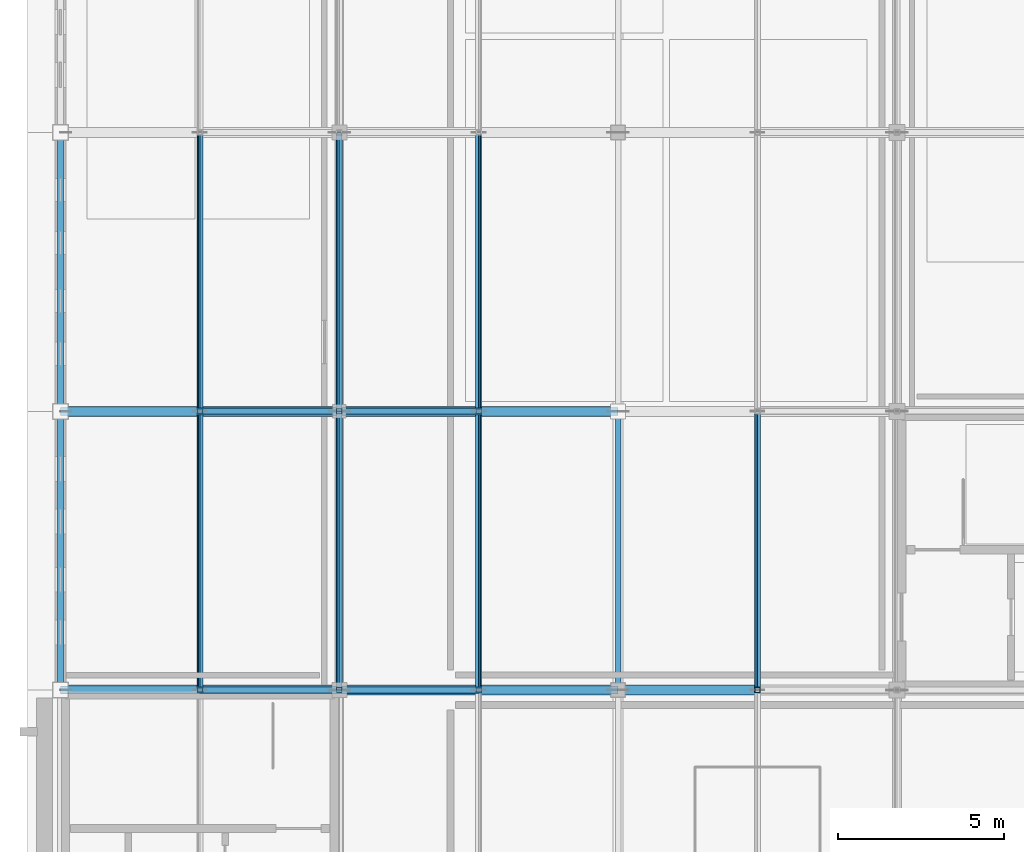
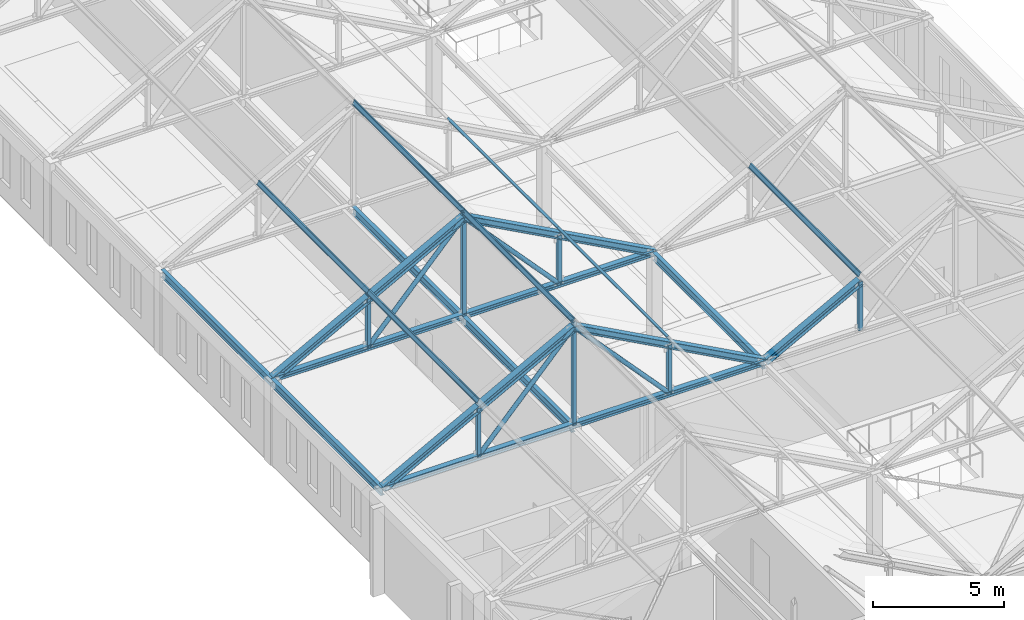
# One storey, part 4 of 36: 29 members, 5 beams.
"""IFC4 building model written with IfcOpenShell, lengths in metres."""

from ifc_helpers import new_model, si_unit, direction, frame, origin, origin_2d, place, context, subcontext, project, spatial, hollow_rectangle, hollow_circle, i_section, extrude, material, material_profile, profile_set, type_object, element, save


model = new_model("IFC4")

# Units and contexts
model_context = context("Model", 3, precision=1e-05, world=origin(), true_north=direction((0.0, 1.0)))
body_context = subcontext(model_context, "Body", "Model", "MODEL_VIEW")
ifc_project = project(units=[si_unit("LENGTHUNIT", "METRE"), si_unit("AREAUNIT", "SQUARE_METRE"), si_unit("VOLUMEUNIT", "CUBIC_METRE"), si_unit("PLANEANGLEUNIT", "RADIAN"), si_unit("MASSUNIT", "GRAM", prefix="KILO")], contexts=[model_context])

# Site, building, storey
site_placement = place(None, origin())
site = spatial("IfcSite", under=ifc_project, at=site_placement, CompositionType="ELEMENT")
building_placement = place(site_placement, origin())
building = spatial("IfcBuilding", under=site, at=building_placement, Name="Kveldsbrygga Polytechnic", CompositionType="ELEMENT")
storey_placement = place(building_placement, frame((0.0, 0.0, 26.179931640625)))
storey = spatial("IfcBuildingStorey", under=building, at=storey_placement, Name="L06", CompositionType="ELEMENT", Elevation=26.179931640625)

# Beams
ifc_material = material(Name="Steel S355", Category="steel")
ifc_material_profile_1 = material_profile(ifc_material, i_section(OverallWidth=0.169921875, OverallDepth=0.360107421875, WebThickness=0.008056640625, FlangeThickness=0.0126953125, FilletRadius=0.01806640625, at=origin_2d()), Name="IPE 360")
ifc_profile_set_1 = profile_set([ifc_material_profile_1], Name="Steel S355")
beam_type = type_object("IfcBeamType", Name="BM-STL-IPE360", PredefinedType="BEAM", material=ifc_profile_set_1)
for number, where, z_axis, x_axis, name in (
    (1, (126.0, 33.60009765625, 3.66015625), (0.0, 1.0, 0.0), (-1.0, 0.0, 0.0), "Attic Eaves Tie Beam BMY-L06-TOP-15-04"),
    (2, (126.0, 42.0, 3.66015625), (0.0, 1.0, 0.0), (-1.0, 0.0, 0.0), "Attic Eaves Tie Beam BMY-L06-TOP-15-05"),
    (3, (134.39990234375, 33.60009765625, 3.66015625), (0.0, 1.0, 0.0), (-1.0, 0.0, 0.0), "Attic Eaves Tie Beam BMY-L06-TOP-16-04"),
    (4, (134.39990234375, 42.0, 3.66015625), (0.0, 1.0, 0.0), (-1.0, 0.0, 0.0), "Attic Eaves Tie Beam BMY-L06-TOP-16-05"),
    (5, (142.800048828125, 33.60009765625, 3.66015625), (0.0, 1.0, 0.0), (-1.0, 0.0, 0.0), "Attic Eaves Tie Beam BMY-L06-TOP-17-04"),
):
    element("IfcBeam", number, at=place(storey_placement, frame(where, z_axis=z_axis, x_axis=x_axis)), inside=storey, type_object=beam_type, Name=name, PredefinedType="BEAM", context=body_context, shape_type="SweptSolid", body=[
        extrude(i_section(OverallWidth=0.169921875, OverallDepth=0.360107421875, WebThickness=0.008056640625, FlangeThickness=0.0126953125, FilletRadius=0.01806640625, at=origin_2d()), origin(), (0.0, 0.0, 1.0), 8.39990234375),
    ])

# Members
ifc_material_profile_2 = material_profile(ifc_material, i_section(OverallWidth=0.10009765625, OverallDepth=0.199951171875, WebThickness=0.005615234375, FlangeThickness=0.008544921875, FilletRadius=0.011962890625, at=origin_2d()), Name="IPE 200")
ifc_profile_set_2 = profile_set([ifc_material_profile_2], Name="Steel S355")
member_type_1 = type_object("IfcMemberType", Name="PRL-IPE200", PredefinedType="PURLIN", material=ifc_profile_set_2)
for number, where, z_axis, x_axis, name in (
    (6, (130.199951171875, 33.60009765625, 6.393798828125), (0.0, 1.0, 0.0), (-0.879292204483, 0.0, 0.476282709256), "Roof Purlin V4M1-PRL-3-1"),
    (7, (134.39990234375, 33.60009765625, 8.668701171875), (0.0, 1.0, 0.0), (-0.879292204483, 0.0, 0.476282709256), "Roof Purlin V4M1-PRL-3-2"),
    (8, (138.60009765625, 33.60009765625, 6.393798828125), (0.0, 1.0, 0.0), (-0.879292204483, 0.0, -0.476282709256), "Roof Purlin V4M1-PRL-3-3"),
    (9, (130.199951171875, 42.0, 6.393798828125), (0.0, 1.0, 0.0), (-0.879292204483, 0.0, 0.476282709256), "Roof Purlin V4M1-PRL-4-1"),
    (10, (134.39990234375, 42.0, 8.668701171875), (0.0, 1.0, 0.0), (-0.879292204483, 0.0, 0.476282709256), "Roof Purlin V4M1-PRL-4-2"),
    (11, (138.60009765625, 42.0, 6.393798828125), (0.0, 1.0, 0.0), (-0.879292204483, 0.0, -0.476282709256), "Roof Purlin V4M1-PRL-4-3"),
    (12, (147.0, 33.60009765625, 6.393798828125), (0.0, 1.0, 0.0), (-0.879292204483, 0.0, 0.476282709256), "Roof Purlin V4M2-PRL-3-1"),
):
    element("IfcMember", number, at=place(storey_placement, frame(where, z_axis=z_axis, x_axis=x_axis)), inside=storey, type_object=member_type_1, Name=name, PredefinedType="PURLIN", context=body_context, shape_type="SweptSolid", body=[
        extrude(i_section(OverallWidth=0.10009765625, OverallDepth=0.199951171875, WebThickness=0.005615234375, FlangeThickness=0.008544921875, FilletRadius=0.011962890625, at=origin_2d()), origin(), (0.0, 0.0, 1.0), 8.39990234375),
    ])
ifc_material_profile_3 = material_profile(ifc_material, i_section(OverallWidth=0.239990234375, OverallDepth=0.22998046875, WebThickness=0.007568359375, FlangeThickness=0.011962890625, FilletRadius=0.02099609375, at=origin_2d()), Name="HEA 240")
ifc_profile_set_3 = profile_set([ifc_material_profile_3], Name="Steel S355")
member_type_2 = type_object("IfcMemberType", Name="TR-BOT-HEA240", PredefinedType="CHORD", material=ifc_profile_set_3)
for number, where, z_axis, x_axis, name in (
    (13, (126.0, 33.60009765625, 3.840087890625), (1.0, 0.0, 0.0), (0.0, 1.0, 0.0), "Truss Bottom Chord V4M1-T03-BC-1"),
    (14, (126.0, 42.0, 3.840087890625), (1.0, 0.0, 0.0), (0.0, 1.0, 0.0), "Truss Bottom Chord V4M1-T04-BC-1"),
):
    element("IfcMember", number, at=place(storey_placement, frame(where, z_axis=z_axis, x_axis=x_axis)), inside=storey, type_object=member_type_2, Name=name, PredefinedType="CHORD", context=body_context, shape_type="SweptSolid", body=[
        extrude(i_section(OverallWidth=0.239990234375, OverallDepth=0.22998046875, WebThickness=0.007568359375, FlangeThickness=0.011962890625, FilletRadius=0.02099609375, at=origin_2d()), origin(), (0.0, 0.0, 1.0), 16.800048828125),
    ])
ifc_material_profile_4 = material_profile(ifc_material, hollow_circle(Radius=0.096923828125, WallThickness=0.010009765625, at=origin_2d()), Name="CHS 193.7x10.0")
ifc_profile_set_4 = profile_set([ifc_material_profile_4], Name="Steel S355")
member_type_3 = type_object("IfcMemberType", Name="TR-DIAG-CHS194", PredefinedType="BRACE", material=ifc_profile_set_4)
member_1_placement = place(storey_placement, frame((130.199951171875, 33.60009765625, 3.840087890625), z_axis=(0.678271914864, 0.0, 0.734811002576), x_axis=(0.0, 1.0, 0.0)))
element("IfcMember", 15, at=member_1_placement, inside=storey, type_object=member_type_3, Name="Truss Diagonal V4M1-T03-DG-2", PredefinedType="BRACE", context=body_context, shape_type="SweptSolid", body=[
    extrude(hollow_circle(Radius=0.096923828125, WallThickness=0.010009765625, at=origin_2d()), origin(), (0.0, 0.0, 1.0), 6.192138671875),
])
member_2_placement = place(storey_placement, frame((134.39990234375, 33.60009765625, 8.39013671875), z_axis=(0.678293202798, 0.0, -0.734791352043), x_axis=(0.0, 1.0, 0.0)))
element("IfcMember", 16, at=member_2_placement, inside=storey, type_object=member_type_3, Name="Truss Diagonal V4M1-T03-DG-3", PredefinedType="BRACE", context=body_context, shape_type="SweptSolid", body=[
    extrude(hollow_circle(Radius=0.096923828125, WallThickness=0.010009765625, at=origin_2d()), origin(), (0.0, 0.0, 1.0), 6.1923828125),
])
member_3_placement = place(storey_placement, frame((130.199951171875, 42.0, 3.840087890625), z_axis=(0.678271914864, 0.0, 0.734811002576), x_axis=(0.0, 1.0, 0.0)))
element("IfcMember", 17, at=member_3_placement, inside=storey, type_object=member_type_3, Name="Truss Diagonal V4M1-T04-DG-2", PredefinedType="BRACE", context=body_context, shape_type="SweptSolid", body=[
    extrude(hollow_circle(Radius=0.096923828125, WallThickness=0.010009765625, at=origin_2d()), origin(), (0.0, 0.0, 1.0), 6.192138671875),
])
member_4_placement = place(storey_placement, frame((134.39990234375, 42.0, 8.39013671875), z_axis=(0.678293202798, 0.0, -0.734791352043), x_axis=(0.0, 1.0, 0.0)))
element("IfcMember", 18, at=member_4_placement, inside=storey, type_object=member_type_3, Name="Truss Diagonal V4M1-T04-DG-3", PredefinedType="BRACE", context=body_context, shape_type="SweptSolid", body=[
    extrude(hollow_circle(Radius=0.096923828125, WallThickness=0.010009765625, at=origin_2d()), origin(), (0.0, 0.0, 1.0), 6.1923828125),
])
ifc_material_profile_5 = material_profile(ifc_material, hollow_rectangle(XDim=0.159912109375, YDim=0.159912109375, WallThickness=0.010009765625, at=origin_2d()), Name="SHS 160x160x10.0")
ifc_profile_set_5 = profile_set([ifc_material_profile_5], Name="Steel S355")
member_type_4 = type_object("IfcMemberType", Name="TR-POST-SHS160", PredefinedType="STRUT", material=ifc_profile_set_5)
member_5_placement = place(storey_placement, frame((130.199951171875, 33.60009765625, 3.840087890625), z_axis=(0.0, 0.0, 1.0), x_axis=(1.0, 0.0, 0.0)))
element("IfcMember", 19, at=member_5_placement, inside=storey, type_object=member_type_4, Name="Truss Vertical V4M1-T03-VT-1", PredefinedType="STRUT", context=body_context, shape_type="SweptSolid", body=[
    extrude(hollow_rectangle(XDim=0.159912109375, YDim=0.159912109375, WallThickness=0.010009765625, at=origin_2d()), origin(), (0.0, 0.0, 1.0), 2.27490234375),
])
member_6_placement = place(storey_placement, frame((134.39990234375, 33.60009765625, 3.840087890625), z_axis=(0.0, 0.0, 1.0), x_axis=(1.0, 0.0, 0.0)))
element("IfcMember", 20, at=member_6_placement, inside=storey, type_object=member_type_4, Name="Truss Vertical V4M1-T03-VT-2", PredefinedType="STRUT", context=body_context, shape_type="SweptSolid", body=[
    extrude(hollow_rectangle(XDim=0.159912109375, YDim=0.159912109375, WallThickness=0.010009765625, at=origin_2d()), origin(), (0.0, 0.0, 1.0), 4.82861328125),
])
for number, where, z_axis, x_axis, name in (
    (21, (138.60009765625, 33.60009765625, 3.840087890625), (0.0, 0.0, 1.0), (1.0, 0.0, 0.0), "Truss Vertical V4M1-T03-VT-3"),
    (22, (130.199951171875, 42.0, 3.840087890625), (0.0, 0.0, 1.0), (1.0, 0.0, 0.0), "Truss Vertical V4M1-T04-VT-1"),
):
    element("IfcMember", number, at=place(storey_placement, frame(where, z_axis=z_axis, x_axis=x_axis)), inside=storey, type_object=member_type_4, Name=name, PredefinedType="STRUT", context=body_context, shape_type="SweptSolid", body=[
        extrude(hollow_rectangle(XDim=0.159912109375, YDim=0.159912109375, WallThickness=0.010009765625, at=origin_2d()), origin(), (0.0, 0.0, 1.0), 2.27490234375),
    ])
member_7_placement = place(storey_placement, frame((134.39990234375, 42.0, 3.840087890625), z_axis=(0.0, 0.0, 1.0), x_axis=(1.0, 0.0, 0.0)))
element("IfcMember", 23, at=member_7_placement, inside=storey, type_object=member_type_4, Name="Truss Vertical V4M1-T04-VT-2", PredefinedType="STRUT", context=body_context, shape_type="SweptSolid", body=[
    extrude(hollow_rectangle(XDim=0.159912109375, YDim=0.159912109375, WallThickness=0.010009765625, at=origin_2d()), origin(), (0.0, 0.0, 1.0), 4.82861328125),
])
for number, where, z_axis, x_axis, name in (
    (24, (138.60009765625, 42.0, 3.840087890625), (0.0, 0.0, 1.0), (1.0, 0.0, 0.0), "Truss Vertical V4M1-T04-VT-3"),
    (25, (147.0, 33.60009765625, 3.840087890625), (0.0, 0.0, 1.0), (1.0, 0.0, 0.0), "Truss Vertical V4M2-T03-VT-1"),
):
    element("IfcMember", number, at=place(storey_placement, frame(where, z_axis=z_axis, x_axis=x_axis)), inside=storey, type_object=member_type_4, Name=name, PredefinedType="STRUT", context=body_context, shape_type="SweptSolid", body=[
        extrude(hollow_rectangle(XDim=0.159912109375, YDim=0.159912109375, WallThickness=0.010009765625, at=origin_2d()), origin(), (0.0, 0.0, 1.0), 2.27490234375),
    ])
ifc_material_profile_6 = material_profile(ifc_material, i_section(OverallWidth=0.300048828125, OverallDepth=0.2900390625, WebThickness=0.008544921875, FlangeThickness=0.013916015625, FilletRadius=0.027099609375, at=origin_2d()), Name="HEA 300")
ifc_profile_set_6 = profile_set([ifc_material_profile_6], Name="Steel S355")
member_type_5 = type_object("IfcMemberType", Name="TR-TOP-HEA300", PredefinedType="CHORD", material=ifc_profile_set_6)
member_8_placement = place(storey_placement, frame((126.0, 33.60009765625, 3.840087890625), z_axis=(0.879298209803, 0.0, 0.47627162233), x_axis=(0.0, 1.0, 0.0)))
element("IfcMember", 26, at=member_8_placement, inside=storey, type_object=member_type_5, Name="Truss Top Chord V4M1-T03-TC-1", PredefinedType="CHORD", context=body_context, shape_type="SweptSolid", body=[
    extrude(i_section(OverallWidth=0.300048828125, OverallDepth=0.2900390625, WebThickness=0.008544921875, FlangeThickness=0.013916015625, FilletRadius=0.027099609375, at=origin_2d()), origin(), (0.0, 0.0, 1.0), 4.7763671875),
])
member_9_placement = place(storey_placement, frame((130.199951171875, 33.60009765625, 6.114990234375), z_axis=(0.879276804059, 0.0, 0.476311139744), x_axis=(0.0, 1.0, 0.0)))
element("IfcMember", 27, at=member_9_placement, inside=storey, type_object=member_type_5, Name="Truss Top Chord V4M1-T03-TC-2", PredefinedType="CHORD", context=body_context, shape_type="SweptSolid", body=[
    extrude(i_section(OverallWidth=0.300048828125, OverallDepth=0.2900390625, WebThickness=0.008544921875, FlangeThickness=0.013916015625, FilletRadius=0.027099609375, at=origin_2d()), origin(), (0.0, 0.0, 1.0), 4.776611328125),
])
member_10_placement = place(storey_placement, frame((134.39990234375, 33.60009765625, 8.39013671875), z_axis=(0.879288399135, 0.0, -0.476289734454), x_axis=(0.0, 1.0, 0.0)))
element("IfcMember", 28, at=member_10_placement, inside=storey, type_object=member_type_5, Name="Truss Top Chord V4M1-T03-TC-3", PredefinedType="CHORD", context=body_context, shape_type="SweptSolid", body=[
    extrude(i_section(OverallWidth=0.300048828125, OverallDepth=0.2900390625, WebThickness=0.008544921875, FlangeThickness=0.013916015625, FilletRadius=0.027099609375, at=origin_2d()), origin(), (0.0, 0.0, 1.0), 4.77685546875),
])
for number, where, z_axis, x_axis, name in (
    (29, (138.60009765625, 33.60009765625, 6.114990234375), (0.879298209803, 0.0, -0.47627162233), (0.0, 1.0, 0.0), "Truss Top Chord V4M1-T03-TC-4"),
    (30, (126.0, 42.0, 3.840087890625), (0.879298209803, 0.0, 0.47627162233), (0.0, 1.0, 0.0), "Truss Top Chord V4M1-T04-TC-1"),
):
    element("IfcMember", number, at=place(storey_placement, frame(where, z_axis=z_axis, x_axis=x_axis)), inside=storey, type_object=member_type_5, Name=name, PredefinedType="CHORD", context=body_context, shape_type="SweptSolid", body=[
        extrude(i_section(OverallWidth=0.300048828125, OverallDepth=0.2900390625, WebThickness=0.008544921875, FlangeThickness=0.013916015625, FilletRadius=0.027099609375, at=origin_2d()), origin(), (0.0, 0.0, 1.0), 4.7763671875),
    ])
member_11_placement = place(storey_placement, frame((130.199951171875, 42.0, 6.114990234375), z_axis=(0.879276804059, 0.0, 0.476311139744), x_axis=(0.0, 1.0, 0.0)))
element("IfcMember", 31, at=member_11_placement, inside=storey, type_object=member_type_5, Name="Truss Top Chord V4M1-T04-TC-2", PredefinedType="CHORD", context=body_context, shape_type="SweptSolid", body=[
    extrude(i_section(OverallWidth=0.300048828125, OverallDepth=0.2900390625, WebThickness=0.008544921875, FlangeThickness=0.013916015625, FilletRadius=0.027099609375, at=origin_2d()), origin(), (0.0, 0.0, 1.0), 4.776611328125),
])
member_12_placement = place(storey_placement, frame((134.39990234375, 42.0, 8.39013671875), z_axis=(0.879288399135, 0.0, -0.476289734454), x_axis=(0.0, 1.0, 0.0)))
element("IfcMember", 32, at=member_12_placement, inside=storey, type_object=member_type_5, Name="Truss Top Chord V4M1-T04-TC-3", PredefinedType="CHORD", context=body_context, shape_type="SweptSolid", body=[
    extrude(i_section(OverallWidth=0.300048828125, OverallDepth=0.2900390625, WebThickness=0.008544921875, FlangeThickness=0.013916015625, FilletRadius=0.027099609375, at=origin_2d()), origin(), (0.0, 0.0, 1.0), 4.77685546875),
])
for number, where, z_axis, x_axis, name in (
    (33, (138.60009765625, 42.0, 6.114990234375), (0.879298209803, 0.0, -0.47627162233), (0.0, 1.0, 0.0), "Truss Top Chord V4M1-T04-TC-4"),
    (34, (142.800048828125, 33.60009765625, 3.840087890625), (0.879298209803, 0.0, 0.47627162233), (0.0, 1.0, 0.0), "Truss Top Chord V4M2-T03-TC-1"),
):
    element("IfcMember", number, at=place(storey_placement, frame(where, z_axis=z_axis, x_axis=x_axis)), inside=storey, type_object=member_type_5, Name=name, PredefinedType="CHORD", context=body_context, shape_type="SweptSolid", body=[
        extrude(i_section(OverallWidth=0.300048828125, OverallDepth=0.2900390625, WebThickness=0.008544921875, FlangeThickness=0.013916015625, FilletRadius=0.027099609375, at=origin_2d()), origin(), (0.0, 0.0, 1.0), 4.7763671875),
    ])

save(model, "model.ifc")
